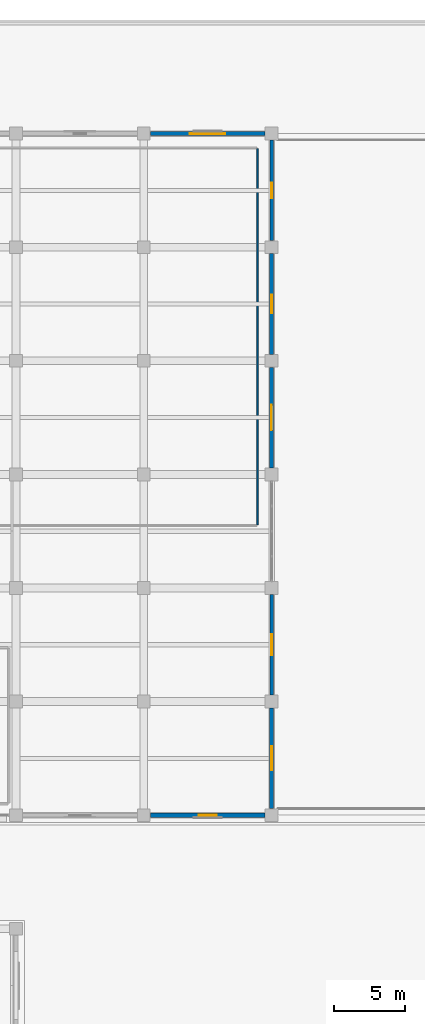
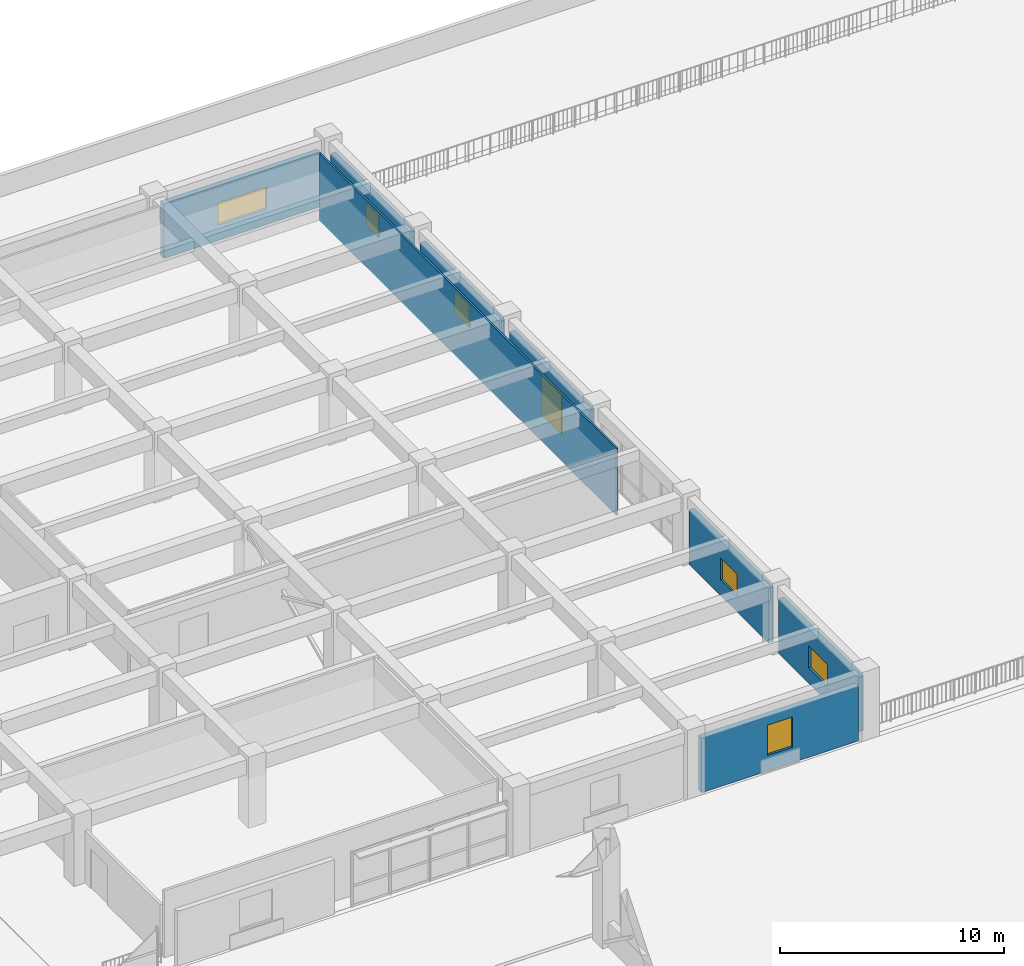
# One storey, part 22 of 34: 8 walls, 6 windows, 1 door, 7 openings.
"""IFC4 building model written with IfcOpenShell, lengths in metres."""

from ifc_helpers import new_model, si_unit, direction, frame, frame_2d, origin, place, context, subcontext, project, spatial, rectangle, extrude, material, layer, layer_set, type_object, element, fill, save


model = new_model("IFC4")

# Units and contexts
model_context = context("Model", 3, precision=1e-05, world=origin(), true_north=direction((0.0, 1.0)))
body_context = subcontext(model_context, "Body", "Model", "MODEL_VIEW")
ifc_project = project(units=[si_unit("LENGTHUNIT", "METRE"), si_unit("AREAUNIT", "SQUARE_METRE"), si_unit("VOLUMEUNIT", "CUBIC_METRE"), si_unit("PLANEANGLEUNIT", "RADIAN"), si_unit("MASSUNIT", "GRAM", prefix="KILO")], contexts=[model_context])

# Site, building, storey
site_placement = place(None, origin())
site = spatial("IfcSite", under=ifc_project, at=site_placement, CompositionType="ELEMENT")
building_placement = place(site_placement, origin())
building = spatial("IfcBuilding", under=site, at=building_placement, Name="Zaverband Oceanarium and Marine Research Institute", CompositionType="ELEMENT")
storey_placement = place(building_placement, frame((0.0, 0.0, 18.0)))
storey = spatial("IfcBuildingStorey", under=building, at=storey_placement, Name="L04", CompositionType="ELEMENT", Elevation=18.0)

# Wall, opening, window
ifc_material_1 = material(Name="Concrete C40/50 precast", Category="concrete")
ifc_layer_1 = layer(ifc_material_1, 0.264892578125, Name="Concrete C40/50 precast")
ifc_layer_set_1 = layer_set([ifc_layer_1], Name="Concrete C40/50 precast")
wall_type_1 = type_object("IfcWallType", Name="EW-265", PredefinedType="STANDARD", material=ifc_layer_set_1)
wall_1_placement = place(storey_placement, frame((72.0, 72.455078125, 0.0), z_axis=(0.0, 0.0, 1.0), x_axis=(0.0, 1.0, 0.0)))
wall_1 = element("IfcWall", 1, at=wall_1_placement, inside=storey, type_object=wall_type_1, Name="Exterior infill wall EW-265", PredefinedType="STANDARD", context=body_context, shape_type="SweptSolid", body=[
    extrude(rectangle(XDim=7.08984375, YDim=0.264892578125, at=frame_2d((3.544921875, 0.0))), origin(), (0.0, 0.0, 1.0), 2.97998046875),
])
opening_1_placement = place(wall_1_placement, frame((2.794921875, 0.0, 0.85009765625)))
opening_1 = element("IfcOpeningElement", 2, at=opening_1_placement, cuts=wall_1, Name="Opening WN-1500x1200", PredefinedType="OPENING", context=body_context, shape_type="SweptSolid", body=[
    extrude(rectangle(XDim=1.5, YDim=1.199951171875, at=frame_2d((0.75, 0.60009765625))), frame((0.0, 0.14453125, 0.0), z_axis=(0.0, -1.0, 0.0), x_axis=(1.0, 0.0, 0.0)), (0.0, 0.0, 1.0), 0.288818359375),
])
ifc_material_2 = material(Name="Thermally broken anodized aluminium and solar-control glass", Category="aluminium")
window_type_1 = type_object("IfcWindowType", Name="WN-1500x1200", PartitioningType="SINGLE_PANEL", PredefinedType="WINDOW", material=ifc_material_2)
window_1_placement = place(opening_1_placement, origin())
window_1 = element("IfcWindow", 3, at=window_1_placement, inside=storey, type_object=window_type_1, Name="Fixed / casement exterior window WN-1500x1200", OverallHeight=1.199951171875, OverallWidth=1.5, PartitioningType="SINGLE_PANEL", PredefinedType="WINDOW", context=body_context, shape_type="SweptSolid", body=[
    extrude(rectangle(XDim=1.5, YDim=1.199951171875, at=frame_2d((0.75, 0.60009765625))), frame((0.0, 0.030029296875, 0.0), z_axis=(0.0, -1.0, 0.0), x_axis=(1.0, 0.0, 0.0)), (0.0, 0.0, 1.0), 0.06005859375),
])
fill(opening_1, window_1)

wall_2_placement = place(storey_placement, frame((72.0, 104.455078125, 0.0), z_axis=(0.0, 0.0, 1.0), x_axis=(0.0, 1.0, 0.0)))
wall_2 = element("IfcWall", 4, at=wall_2_placement, inside=storey, type_object=wall_type_1, Name="Exterior infill wall EW-265", PredefinedType="STANDARD", context=body_context, shape_type="SweptSolid", body=[
    extrude(rectangle(XDim=7.08984375, YDim=0.264892578125, at=frame_2d((3.544921875, 0.0))), origin(), (0.0, 0.0, 1.0), 2.97998046875),
])
opening_2_placement = place(wall_2_placement, frame((2.9951171875, 0.0, 0.85009765625)))
opening_2 = element("IfcOpeningElement", 5, at=opening_2_placement, cuts=wall_2, Name="Opening WN-1100x1200", PredefinedType="OPENING", context=body_context, shape_type="SweptSolid", body=[
    extrude(rectangle(XDim=1.10009765625, YDim=1.199951171875, at=frame_2d((0.550048828125, 0.60009765625))), frame((0.0, 0.14453125, 0.0), z_axis=(0.0, -1.0, 0.0), x_axis=(1.0, 0.0, 0.0)), (0.0, 0.0, 1.0), 0.288818359375),
])
window_type_2 = type_object("IfcWindowType", Name="WN-1100x1200", PartitioningType="SINGLE_PANEL", PredefinedType="WINDOW", material=ifc_material_2)
window_2_placement = place(opening_2_placement, origin())
window_2 = element("IfcWindow", 6, at=window_2_placement, inside=storey, type_object=window_type_2, Name="Fixed / casement exterior window WN-1100x1200", OverallHeight=1.199951171875, OverallWidth=1.10009765625, PartitioningType="SINGLE_PANEL", PredefinedType="WINDOW", context=body_context, shape_type="SweptSolid", body=[
    extrude(rectangle(XDim=1.10009765625, YDim=1.199951171875, at=frame_2d((0.550048828125, 0.60009765625))), frame((0.0, 0.030029296875, 0.0), z_axis=(0.0, -1.0, 0.0), x_axis=(1.0, 0.0, 0.0)), (0.0, 0.0, 1.0), 0.06005859375),
])
fill(opening_2, window_2)

ifc_layer_2 = layer(ifc_material_1, 0.2900390625, Name="Concrete C40/50 precast")
ifc_layer_set_2 = layer_set([ifc_layer_2], Name="Concrete C40/50 precast")
wall_type_2 = type_object("IfcWallType", Name="EW-290", PredefinedType="STANDARD", material=ifc_layer_set_2)
wall_3_placement = place(storey_placement, frame((63.455078125, 64.0, 0.0), z_axis=(0.0, 0.0, 1.0), x_axis=(1.0, 0.0, 0.0)))
wall_3 = element("IfcWall", 7, at=wall_3_placement, inside=storey, type_object=wall_type_2, Name="Exterior infill wall EW-290", PredefinedType="STANDARD", context=body_context, shape_type="SweptSolid", body=[
    extrude(rectangle(XDim=8.08984375, YDim=0.2900390625, at=frame_2d((4.044921875, 0.0))), origin(), (0.0, 0.0, 1.0), 2.97998046875),
])
opening_3_placement = place(wall_3_placement, frame((3.39501953125, 0.0, 0.85009765625)))
opening_3 = element("IfcOpeningElement", 8, at=opening_3_placement, cuts=wall_3, Name="Opening WN-1300x1650", PredefinedType="OPENING", context=body_context, shape_type="SweptSolid", body=[
    extrude(rectangle(XDim=1.300048828125, YDim=1.64990234375, at=frame_2d((0.64990234375, 0.824951171875))), frame((0.0, 0.156982421875, 0.0), z_axis=(0.0, -1.0, 0.0), x_axis=(1.0, 0.0, 0.0)), (0.0, 0.0, 1.0), 0.31396484375),
])
window_type_3 = type_object("IfcWindowType", Name="WN-1300x1650", PartitioningType="SINGLE_PANEL", PredefinedType="WINDOW", material=ifc_material_2)
window_3_placement = place(opening_3_placement, origin())
window_3 = element("IfcWindow", 9, at=window_3_placement, inside=storey, type_object=window_type_3, Name="Fixed / casement exterior window WN-1300x1650", OverallHeight=1.64990234375, OverallWidth=1.300048828125, PartitioningType="SINGLE_PANEL", PredefinedType="WINDOW", context=body_context, shape_type="SweptSolid", body=[
    extrude(rectangle(XDim=1.300048828125, YDim=1.64990234375, at=frame_2d((0.64990234375, 0.824951171875))), frame((0.0, 0.030029296875, 0.0), z_axis=(0.0, -1.0, 0.0), x_axis=(1.0, 0.0, 0.0)), (0.0, 0.0, 1.0), 0.06005859375),
])
fill(opening_3, window_3)

wall_4_placement = place(storey_placement, frame((63.455078125, 112.0, 0.0), z_axis=(0.0, 0.0, 1.0), x_axis=(1.0, 0.0, 0.0)))
wall_4 = element("IfcWall", 10, at=wall_4_placement, inside=storey, type_object=wall_type_2, Name="Exterior infill wall EW-290", PredefinedType="STANDARD", context=body_context, shape_type="SweptSolid", body=[
    extrude(rectangle(XDim=8.08984375, YDim=0.2900390625, at=frame_2d((4.044921875, 0.0))), origin(), (0.0, 0.0, 1.0), 2.97998046875),
])
opening_4_placement = place(wall_4_placement, frame((2.794921875, 0.0, 0.85009765625)))
opening_4 = element("IfcOpeningElement", 11, at=opening_4_placement, cuts=wall_4, Name="Opening WN-2500x1200", PredefinedType="OPENING", context=body_context, shape_type="SweptSolid", body=[
    extrude(rectangle(XDim=2.5, YDim=1.199951171875, at=frame_2d((1.25, 0.60009765625))), frame((0.0, 0.156982421875, 0.0), z_axis=(0.0, -1.0, 0.0), x_axis=(1.0, 0.0, 0.0)), (0.0, 0.0, 1.0), 0.31396484375),
])
window_type_4 = type_object("IfcWindowType", Name="WN-2500x1200", PartitioningType="SINGLE_PANEL", PredefinedType="WINDOW", material=ifc_material_2)
window_4_placement = place(opening_4_placement, origin())
window_4 = element("IfcWindow", 12, at=window_4_placement, inside=storey, type_object=window_type_4, Name="Fixed / casement exterior window WN-2500x1200", OverallHeight=1.199951171875, OverallWidth=2.5, PartitioningType="SINGLE_PANEL", PredefinedType="WINDOW", context=body_context, shape_type="SweptSolid", body=[
    extrude(rectangle(XDim=2.5, YDim=1.199951171875, at=frame_2d((1.25, 0.60009765625))), frame((0.0, 0.030029296875, 0.0), z_axis=(0.0, -1.0, 0.0), x_axis=(1.0, 0.0, 0.0)), (0.0, 0.0, 1.0), 0.06005859375),
])
fill(opening_4, window_4)

wall_5_placement = place(storey_placement, frame((72.0, 64.455078125, 0.0), z_axis=(0.0, 0.0, 1.0), x_axis=(0.0, 1.0, 0.0)))
wall_5 = element("IfcWall", 13, at=wall_5_placement, inside=storey, type_object=wall_type_2, Name="Exterior infill wall EW-290", PredefinedType="STANDARD", context=body_context, shape_type="SweptSolid", body=[
    extrude(rectangle(XDim=7.08984375, YDim=0.2900390625, at=frame_2d((3.544921875, 0.0))), origin(), (0.0, 0.0, 1.0), 2.97998046875),
])
opening_5_placement = place(wall_5_placement, frame((2.695068359375, 0.0, 0.85009765625)))
opening_5 = element("IfcOpeningElement", 14, at=opening_5_placement, cuts=wall_5, Name="Opening WN-1700x1200", PredefinedType="OPENING", context=body_context, shape_type="SweptSolid", body=[
    extrude(rectangle(XDim=1.699951171875, YDim=1.199951171875, at=frame_2d((0.85009765625, 0.60009765625))), frame((0.0, 0.156982421875, 0.0), z_axis=(0.0, -1.0, 0.0), x_axis=(1.0, 0.0, 0.0)), (0.0, 0.0, 1.0), 0.31396484375),
])
window_type_5 = type_object("IfcWindowType", Name="WN-1700x1200", PartitioningType="SINGLE_PANEL", PredefinedType="WINDOW", material=ifc_material_2)
window_5_placement = place(opening_5_placement, origin())
window_5 = element("IfcWindow", 15, at=window_5_placement, inside=storey, type_object=window_type_5, Name="Fixed / casement exterior window WN-1700x1200", OverallHeight=1.199951171875, OverallWidth=1.699951171875, PartitioningType="SINGLE_PANEL", PredefinedType="WINDOW", context=body_context, shape_type="SweptSolid", body=[
    extrude(rectangle(XDim=1.699951171875, YDim=1.199951171875, at=frame_2d((0.85009765625, 0.60009765625))), frame((0.0, 0.030029296875, 0.0), z_axis=(0.0, -1.0, 0.0), x_axis=(1.0, 0.0, 0.0)), (0.0, 0.0, 1.0), 0.06005859375),
])
fill(opening_5, window_5)

# Wall, opening, door
wall_6_placement = place(storey_placement, frame((72.0, 88.455078125, 0.0), z_axis=(0.0, 0.0, 1.0), x_axis=(0.0, 1.0, 0.0)))
wall_6 = element("IfcWall", 16, at=wall_6_placement, inside=storey, type_object=wall_type_2, Name="Exterior infill wall EW-290", PredefinedType="STANDARD", context=body_context, shape_type="SweptSolid", body=[
    extrude(rectangle(XDim=7.08984375, YDim=0.2900390625, at=frame_2d((3.544921875, 0.0))), origin(), (0.0, 0.0, 1.0), 2.97998046875),
])
opening_6_placement = place(wall_6_placement, frame((2.64501953125, 0.0, 0.0)))
opening_6 = element("IfcOpeningElement", 17, at=opening_6_placement, cuts=wall_6, Name="Opening TD-1800x2200", PredefinedType="OPENING", context=body_context, shape_type="SweptSolid", body=[
    extrude(rectangle(XDim=1.800048828125, YDim=2.199951171875, at=frame_2d((0.89990234375, 1.10009765625))), frame((0.0, 0.156982421875, 0.0), z_axis=(0.0, -1.0, 0.0), x_axis=(1.0, 0.0, 0.0)), (0.0, 0.0, 1.0), 0.31396484375),
])
ifc_material_3 = material(Name="Thermally broken anodized aluminium and laminated glass", Category="aluminium")
door_type = type_object("IfcDoorType", Name="TD-1800x2200", OperationType="DOUBLE_DOOR_SINGLE_SWING", PredefinedType="DOOR", material=ifc_material_3)
door_placement = place(opening_6_placement, frame((1.800048828125, 0.0, 0.0), z_axis=(0.0, 0.0, 1.0), x_axis=(-1.0, 0.0, 0.0)))
door = element("IfcDoor", 18, at=door_placement, inside=storey, type_object=door_type, Name="Glazed double terrace door TD-1800x2200", OperationType="DOUBLE_DOOR_SINGLE_SWING", OverallHeight=2.199951171875, OverallWidth=1.800048828125, PredefinedType="DOOR", context=body_context, shape_type="SweptSolid", body=[
    extrude(rectangle(XDim=1.800048828125, YDim=2.199951171875, at=frame_2d((0.89990234375, 1.10009765625))), frame((0.0, 0.02490234375, 0.0), z_axis=(0.0, -1.0, 0.0), x_axis=(1.0, 0.0, 0.0)), (0.0, 0.0, 1.0), 0.050048828125),
])
fill(opening_6, door)

# Wall, opening, window
wall_7_placement = place(storey_placement, frame((72.0, 96.455078125, 0.0), z_axis=(0.0, 0.0, 1.0), x_axis=(0.0, 1.0, 0.0)))
wall_7 = element("IfcWall", 19, at=wall_7_placement, inside=storey, type_object=wall_type_2, Name="Exterior infill wall EW-290", PredefinedType="STANDARD", context=body_context, shape_type="SweptSolid", body=[
    extrude(rectangle(XDim=7.08984375, YDim=0.2900390625, at=frame_2d((3.544921875, 0.0))), origin(), (0.0, 0.0, 1.0), 2.97998046875),
])
opening_7_placement = place(wall_7_placement, frame((2.89501953125, 0.0, 0.85009765625)))
opening_7 = element("IfcOpeningElement", 20, at=opening_7_placement, cuts=wall_7, Name="Opening WN-1300x1200", PredefinedType="OPENING", context=body_context, shape_type="SweptSolid", body=[
    extrude(rectangle(XDim=1.300048828125, YDim=1.199951171875, at=frame_2d((0.64990234375, 0.60009765625))), frame((0.0, 0.156982421875, 0.0), z_axis=(0.0, -1.0, 0.0), x_axis=(1.0, 0.0, 0.0)), (0.0, 0.0, 1.0), 0.31396484375),
])
window_type_6 = type_object("IfcWindowType", Name="WN-1300x1200", PartitioningType="SINGLE_PANEL", PredefinedType="WINDOW", material=ifc_material_2)
window_6_placement = place(opening_7_placement, origin())
window_6 = element("IfcWindow", 21, at=window_6_placement, inside=storey, type_object=window_type_6, Name="Fixed / casement exterior window WN-1300x1200", OverallHeight=1.199951171875, OverallWidth=1.300048828125, PartitioningType="SINGLE_PANEL", PredefinedType="WINDOW", context=body_context, shape_type="SweptSolid", body=[
    extrude(rectangle(XDim=1.300048828125, YDim=1.199951171875, at=frame_2d((0.64990234375, 0.60009765625))), frame((0.0, 0.030029296875, 0.0), z_axis=(0.0, -1.0, 0.0), x_axis=(1.0, 0.0, 0.0)), (0.0, 0.0, 1.0), 0.06005859375),
])
fill(opening_7, window_6)

# Wall
ifc_material_4 = material(Name="Framed fire-rated glass laboratory partition", Category="glass")
ifc_layer_3 = layer(ifc_material_4, 0.10009765625, Name="Framed fire-rated glass laboratory partition")
ifc_layer_set_3 = layer_set([ifc_layer_3], Name="Framed fire-rated glass laboratory partition")
wall_type_3 = type_object("IfcWallType", Name="PT-100-GL", PredefinedType="PARTITIONING", material=ifc_layer_set_3)
wall_8_placement = place(storey_placement, frame((71.0, 84.449951171875, 0.0), z_axis=(0.0, 0.0, 1.0), x_axis=(0.0, 1.0, 0.0)))
element("IfcWall", 22, at=wall_8_placement, inside=storey, type_object=wall_type_3, Name="Internal partition PT-100-GL", PredefinedType="PARTITIONING", context=body_context, shape_type="SweptSolid", body=[
    extrude(rectangle(XDim=26.5, YDim=0.10009765625, at=frame_2d((13.25, 0.0))), origin(), (0.0, 0.0, 1.0), 3.64990234375),
])

save(model, "model.ifc")
